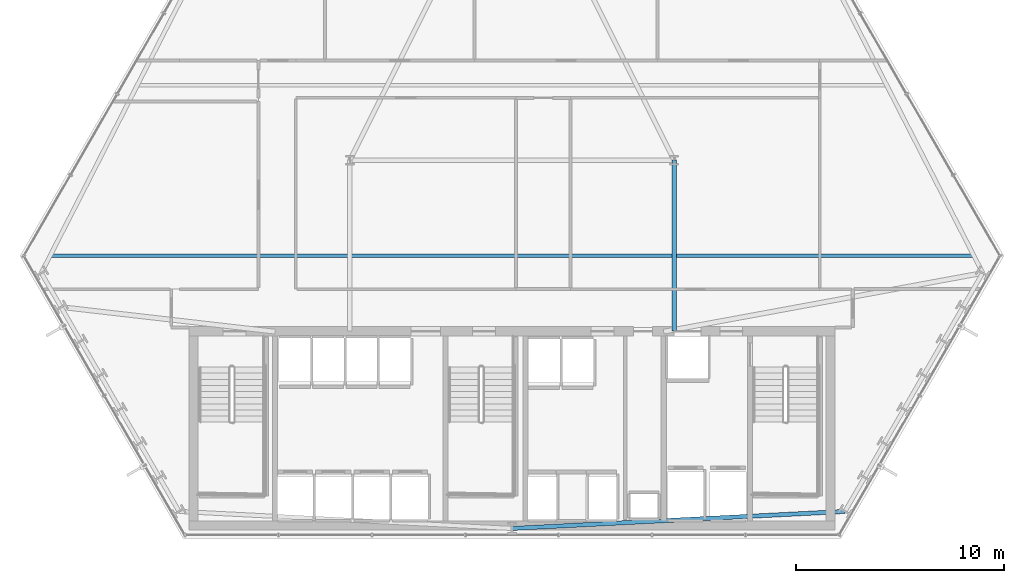
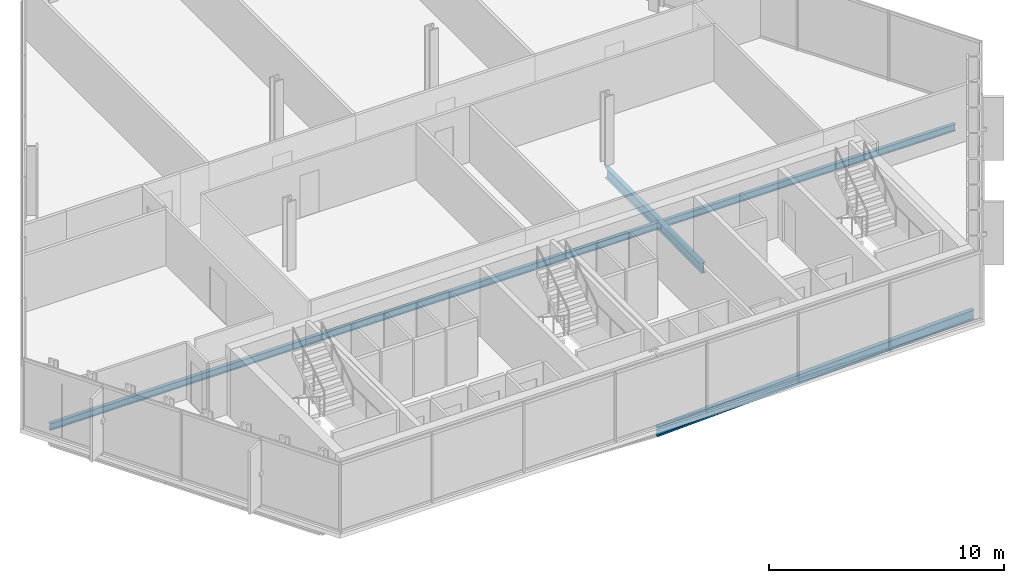
# One storey, part 10 of 32: 3 beams.
"""IFC4 building model written with IfcOpenShell, lengths in metres."""

from ifc_helpers import new_model, si_unit, direction, frame, origin, origin_2d, place, context, subcontext, project, spatial, i_section, extrude, material, material_profile, profile_set, type_object, element, save


model = new_model("IFC4")

# Units and contexts
model_context = context("Model", 3, precision=1e-05, world=origin(), true_north=direction((0.0, 1.0)))
body_context = subcontext(model_context, "Body", "Model", "MODEL_VIEW")
ifc_project = project(units=[si_unit("LENGTHUNIT", "METRE"), si_unit("AREAUNIT", "SQUARE_METRE"), si_unit("VOLUMEUNIT", "CUBIC_METRE"), si_unit("PLANEANGLEUNIT", "RADIAN"), si_unit("MASSUNIT", "GRAM", prefix="KILO")], contexts=[model_context])

# Site, building, storey
site_placement = place(None, origin())
site = spatial("IfcSite", under=ifc_project, at=site_placement, CompositionType="ELEMENT")
building_placement = place(site_placement, origin())
building = spatial("IfcBuilding", under=site, at=building_placement, Name="Ndaravel Arena Tower", CompositionType="ELEMENT")
storey_placement = place(building_placement, frame((0.0, 0.0, 62.60009765625)))
storey = spatial("IfcBuildingStorey", under=building, at=storey_placement, Name="L13", CompositionType="ELEMENT", Elevation=62.60009765625)

# Beams
ifc_material_1 = material(Name="Steel S355", Category="steel")
ifc_material_profile_1 = material_profile(ifc_material_1, i_section(OverallWidth=0.210693359375, OverallDepth=0.53955078125, WebThickness=0.01171875, FlangeThickness=0.018798828125, FilletRadius=0.0126953125, at=origin_2d()), Name="UB 533x210x109")
ifc_profile_set_1 = profile_set([ifc_material_profile_1], Name="Steel S355")
beam_type_1 = type_object("IfcBeamType", Name="BM-GIRD-UB533", PredefinedType="BEAM", material=ifc_profile_set_1)
beam_1_placement = place(storey_placement, frame((49.800048828125, 14.97998046875, -0.48974609375), z_axis=(0.0, 1.0, 0.0), x_axis=(-1.0, 0.0, 0.0)))
element("IfcBeam", 1, at=beam_1_placement, inside=storey, type_object=beam_type_1, Name="L13 Spine Link Girder SLG-02", PredefinedType="BEAM", context=body_context, shape_type="SweptSolid", body=[
    extrude(i_section(OverallWidth=0.210693359375, OverallDepth=0.53955078125, WebThickness=0.01171875, FlangeThickness=0.018798828125, FilletRadius=0.0126953125, at=origin_2d()), origin(), (0.0, 0.0, 1.0), 8.219970703125),
])
ifc_material_2 = material(Name="Steel S355", Category="steel")
ifc_material_profile_2 = material_profile(ifc_material_2, i_section(OverallWidth=0.169921875, OverallDepth=0.360107421875, WebThickness=0.008056640625, FlangeThickness=0.0126953125, FilletRadius=0.01806640625, at=origin_2d()), Name="IPE 360")
ifc_profile_set_2 = profile_set([ifc_material_profile_2], Name="Steel S355")
beam_type_2 = type_object("IfcBeamType", Name="BM-JOIST-IPE360", PredefinedType="JOIST", material=ifc_profile_set_2)
beam_2_placement = place(storey_placement, frame((19.773681640625, 18.60009765625, -0.400146484375), z_axis=(1.0, 0.0, 0.0), x_axis=(0.0, 1.0, 0.0)))
element("IfcBeam", 2, at=beam_2_placement, inside=storey, type_object=beam_type_2, Name="L13 Composite Floor Joist FJ-01", PredefinedType="JOIST", context=body_context, shape_type="SweptSolid", body=[
    extrude(i_section(OverallWidth=0.169921875, OverallDepth=0.360107421875, WebThickness=0.008056640625, FlangeThickness=0.0126953125, FilletRadius=0.01806640625, at=origin_2d()), origin(), (0.0, 0.0, 1.0), 44.45263671875),
])
ifc_material_3 = material(Name="Steel S355", Category="steel")
ifc_material_profile_3 = material_profile(ifc_material_3, i_section(OverallWidth=0.199951171875, OverallDepth=0.5, WebThickness=0.01025390625, FlangeThickness=0.01611328125, FilletRadius=0.02099609375, at=origin_2d()), Name="IPE 500")
ifc_profile_set_3 = profile_set([ifc_material_profile_3], Name="Steel S355")
beam_type_3 = type_object("IfcBeamType", Name="BM-SPAN-IPE500", PredefinedType="SPANDREL", material=ifc_profile_set_3)
beam_3_placement = place(storey_placement, frame((42.0, 5.47998046875, -0.47021484375), z_axis=(0.998694459714, 0.051082052981, 0.0), x_axis=(-0.051082052981, 0.998694459714, 0.0)))
element("IfcBeam", 3, at=beam_3_placement, inside=storey, type_object=beam_type_3, Name="L13 Perimeter Spandrel Beam SP-01", PredefinedType="SPANDREL", context=body_context, shape_type="SweptSolid", body=[
    extrude(i_section(OverallWidth=0.199951171875, OverallDepth=0.5, WebThickness=0.01025390625, FlangeThickness=0.01611328125, FilletRadius=0.02099609375, at=origin_2d()), origin(), (0.0, 0.0, 1.0), 16.04443359375),
])

save(model, "model.ifc")
